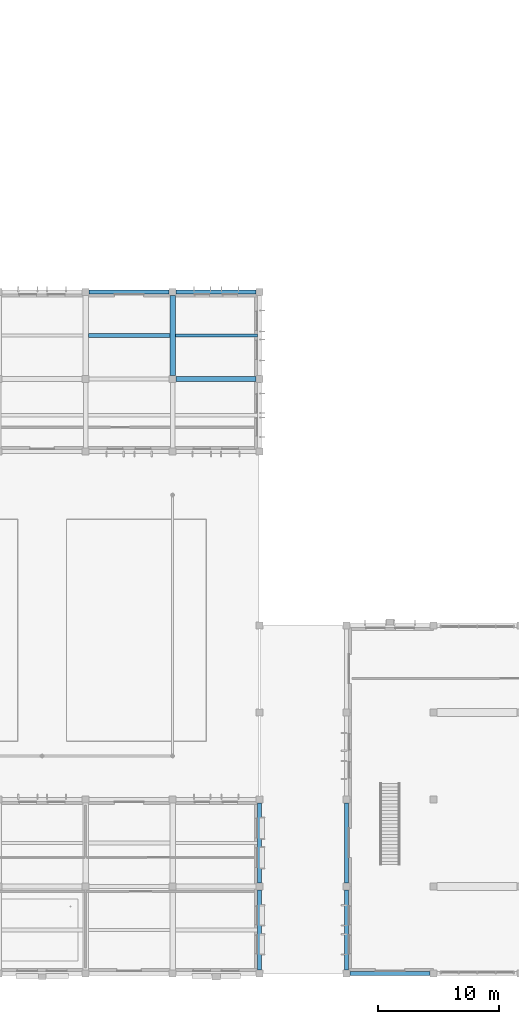
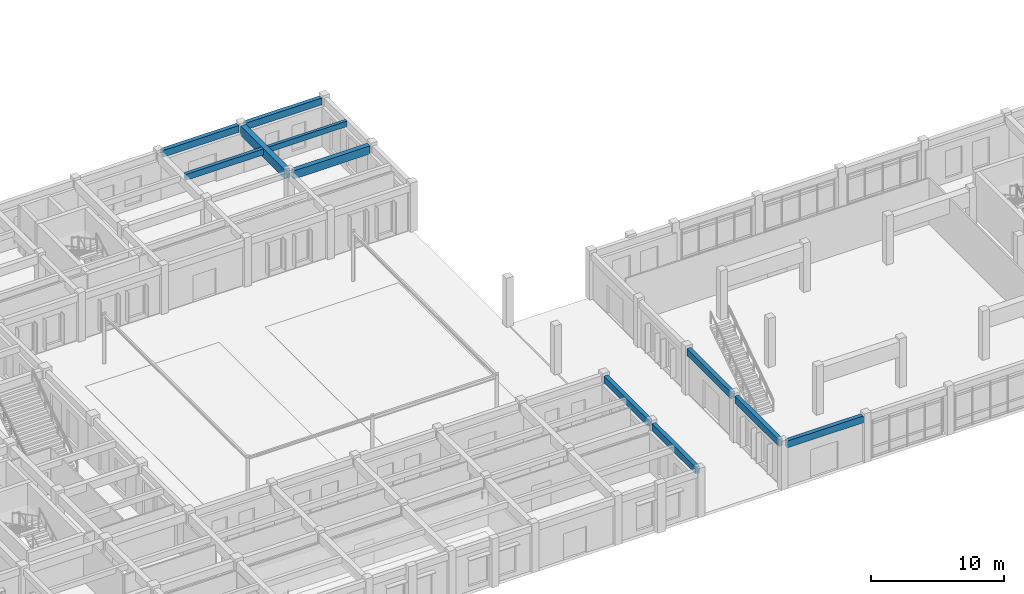
# One storey, part 10 of 43: 11 beams.
"""IFC4 building model written with IfcOpenShell, lengths in metres."""

from ifc_helpers import new_model, si_unit, direction, frame, origin, origin_2d, place, context, subcontext, project, spatial, rectangle, extrude, material, material_profile, profile_set, type_object, element, save


model = new_model("IFC4")

# Units and contexts
model_context = context("Model", 3, precision=1e-05, world=origin(), true_north=direction((0.0, 1.0)))
body_context = subcontext(model_context, "Body", "Model", "MODEL_VIEW")
ifc_project = project(units=[si_unit("LENGTHUNIT", "METRE"), si_unit("AREAUNIT", "SQUARE_METRE"), si_unit("VOLUMEUNIT", "CUBIC_METRE"), si_unit("PLANEANGLEUNIT", "RADIAN"), si_unit("MASSUNIT", "GRAM", prefix="KILO")], contexts=[model_context])

# Site, building, storey
site_placement = place(None, origin())
site = spatial("IfcSite", under=ifc_project, at=site_placement, CompositionType="ELEMENT")
building_placement = place(site_placement, origin())
building = spatial("IfcBuilding", under=site, at=building_placement, Name="Alvorim Cloister Faculty of Sciences", CompositionType="ELEMENT")
storey_placement = place(building_placement, origin())
storey = spatial("IfcBuildingStorey", under=building, at=storey_placement, Name="L00", CompositionType="ELEMENT", Elevation=0.0)

# Beams
ifc_material = material(Name="Concrete C40", Category="concrete")
ifc_material_profile_1 = material_profile(ifc_material, rectangle(XDim=0.260009765625, YDim=0.5, at=origin_2d()), Name="RC40-JST-260x500")
ifc_profile_set_1 = profile_set([ifc_material_profile_1], Name="Concrete C40")
beam_type_1 = type_object("IfcBeamType", Name="BM-JST-RC-260x500", PredefinedType="JOIST", material=ifc_profile_set_1)
beam_1_placement = place(storey_placement, frame((57.824951171875, 52.800048828125, 4.0), z_axis=(1.0, 0.0, 0.0), x_axis=(0.0, 1.0, 0.0)))
element("IfcBeam", 1, at=beam_1_placement, inside=storey, type_object=beam_type_1, Name="L00 Secondary Floor Joist BM-0878", PredefinedType="JOIST", context=body_context, shape_type="SweptSolid", body=[
    extrude(rectangle(XDim=0.260009765625, YDim=0.5, at=origin_2d()), origin(), (0.0, 0.0, 1.0), 6.800048828125),
])
ifc_material_profile_2 = material_profile(ifc_material, rectangle(XDim=0.300048828125, YDim=0.550048828125, at=origin_2d()), Name="RC40-JST-300x550")
ifc_profile_set_2 = profile_set([ifc_material_profile_2], Name="Concrete C40")
beam_type_2 = type_object("IfcBeamType", Name="BM-JST-RC-300x550", PredefinedType="JOIST", material=ifc_profile_set_2)
beam_2_placement = place(storey_placement, frame((50.625, 52.800048828125, 3.97509765625), z_axis=(1.0, 0.0, 0.0), x_axis=(0.0, 1.0, 0.0)))
element("IfcBeam", 2, at=beam_2_placement, inside=storey, type_object=beam_type_2, Name="L00 Secondary Floor Joist BM-0874", PredefinedType="JOIST", context=body_context, shape_type="SweptSolid", body=[
    extrude(rectangle(XDim=0.300048828125, YDim=0.550048828125, at=origin_2d()), origin(), (0.0, 0.0, 1.0), 6.75),
])
ifc_material_profile_3 = material_profile(ifc_material, rectangle(XDim=0.39990234375, YDim=0.75, at=origin_2d()), Name="RC40-BM-400x750")
ifc_profile_set_3 = profile_set([ifc_material_profile_3], Name="Concrete C40")
beam_type_3 = type_object("IfcBeamType", Name="BM-RC-400x750", PredefinedType="BEAM", material=ifc_profile_set_3)
beam_3_placement = place(storey_placement, frame((57.89990234375, 49.199951171875, 3.875), z_axis=(1.0, 0.0, 0.0), x_axis=(0.0, 1.0, 0.0)))
element("IfcBeam", 3, at=beam_3_placement, inside=storey, type_object=beam_type_3, Name="L00 Primary Beam BM-0666", PredefinedType="BEAM", context=body_context, shape_type="SweptSolid", body=[
    extrude(rectangle(XDim=0.39990234375, YDim=0.75, at=origin_2d()), origin(), (0.0, 0.0, 1.0), 6.60009765625),
])
ifc_material_profile_4 = material_profile(ifc_material, rectangle(XDim=0.449951171875, YDim=0.85009765625, at=origin_2d()), Name="RC40-BM-450x850")
ifc_profile_set_4 = profile_set([ifc_material_profile_4], Name="Concrete C40")
beam_type_4 = type_object("IfcBeamType", Name="BM-RC-450x850", PredefinedType="BEAM", material=ifc_profile_set_4)
beam_4_placement = place(storey_placement, frame((57.60009765625, 49.5, 3.824951171875), z_axis=(0.0, 1.0, 0.0), x_axis=(-1.0, 0.0, 0.0)))
element("IfcBeam", 4, at=beam_4_placement, inside=storey, type_object=beam_type_4, Name="L00 Primary Girder BM-0789", PredefinedType="BEAM", context=body_context, shape_type="SweptSolid", body=[
    extrude(rectangle(XDim=0.449951171875, YDim=0.85009765625, at=origin_2d()), origin(), (0.0, 0.0, 1.0), 6.60009765625),
])
ifc_material_profile_5 = material_profile(ifc_material, rectangle(XDim=0.35009765625, YDim=0.6201171875, at=origin_2d()), Name="RC40-SPD-350x620")
ifc_profile_set_5 = profile_set([ifc_material_profile_5], Name="Concrete C40")
beam_type_5 = type_object("IfcBeamType", Name="BM-SPD-RC-350x620", PredefinedType="SPANDREL", material=ifc_profile_set_5)
beam_5_placement = place(storey_placement, frame((72.300048828125, 0.0, 3.93994140625), z_axis=(1.0, 0.0, 0.0), x_axis=(0.0, 1.0, 0.0)))
element("IfcBeam", 5, at=beam_5_placement, inside=storey, type_object=beam_type_5, Name="L00 Primary Beam BM-0598", PredefinedType="SPANDREL", context=body_context, shape_type="SweptSolid", body=[
    extrude(rectangle(XDim=0.35009765625, YDim=0.6201171875, at=origin_2d()), origin(), (0.0, 0.0, 1.0), 6.599853515625),
])
for number, where, z_axis, x_axis, name in (
    (6, (50.699951171875, 56.39990234375, 3.93994140625), (1.0, 0.0, 0.0), (0.0, 1.0, 0.0), "L00 Primary Beam BM-0674"),
    (7, (57.89990234375, 56.39990234375, 3.93994140625), (1.0, 0.0, 0.0), (0.0, 1.0, 0.0), "L00 Primary Beam BM-0675"),
):
    element("IfcBeam", number, at=place(storey_placement, frame(where, z_axis=z_axis, x_axis=x_axis)), inside=storey, type_object=beam_type_5, Name=name, PredefinedType="SPANDREL", context=body_context, shape_type="SweptSolid", body=[
        extrude(rectangle(XDim=0.35009765625, YDim=0.6201171875, at=origin_2d()), origin(), (0.0, 0.0, 1.0), 6.60009765625),
    ])
beam_6_placement = place(storey_placement, frame((64.800048828125, 0.300048828125, 3.93994140625), z_axis=(0.0, 1.0, 0.0), x_axis=(-1.0, 0.0, 0.0)))
element("IfcBeam", 8, at=beam_6_placement, inside=storey, type_object=beam_type_5, Name="L00 Primary Girder BM-0790", PredefinedType="SPANDREL", context=body_context, shape_type="SweptSolid", body=[
    extrude(rectangle(XDim=0.35009765625, YDim=0.6201171875, at=origin_2d()), origin(), (0.0, 0.0, 1.0), 6.599853515625),
])
beam_7_placement = place(storey_placement, frame((64.800048828125, 7.5, 3.93994140625), z_axis=(0.0, 1.0, 0.0), x_axis=(-1.0, 0.0, 0.0)))
element("IfcBeam", 9, at=beam_7_placement, inside=storey, type_object=beam_type_5, Name="L00 Primary Girder BM-0791", PredefinedType="SPANDREL", context=body_context, shape_type="SweptSolid", body=[
    extrude(rectangle(XDim=0.35009765625, YDim=0.6201171875, at=origin_2d()), origin(), (0.0, 0.0, 1.0), 6.60009765625),
])
beam_8_placement = place(storey_placement, frame((72.0, 0.300048828125, 3.93994140625), z_axis=(0.0, 1.0, 0.0), x_axis=(-1.0, 0.0, 0.0)))
element("IfcBeam", 10, at=beam_8_placement, inside=storey, type_object=beam_type_5, Name="L00 Primary Girder BM-0794", PredefinedType="SPANDREL", context=body_context, shape_type="SweptSolid", body=[
    extrude(rectangle(XDim=0.35009765625, YDim=0.6201171875, at=origin_2d()), origin(), (0.0, 0.0, 1.0), 6.599853515625),
])
beam_9_placement = place(storey_placement, frame((72.0, 7.5, 3.93994140625), z_axis=(0.0, 1.0, 0.0), x_axis=(-1.0, 0.0, 0.0)))
element("IfcBeam", 11, at=beam_9_placement, inside=storey, type_object=beam_type_5, Name="L00 Primary Girder BM-0795", PredefinedType="SPANDREL", context=body_context, shape_type="SweptSolid", body=[
    extrude(rectangle(XDim=0.35009765625, YDim=0.6201171875, at=origin_2d()), origin(), (0.0, 0.0, 1.0), 6.60009765625),
])

save(model, "model.ifc")
